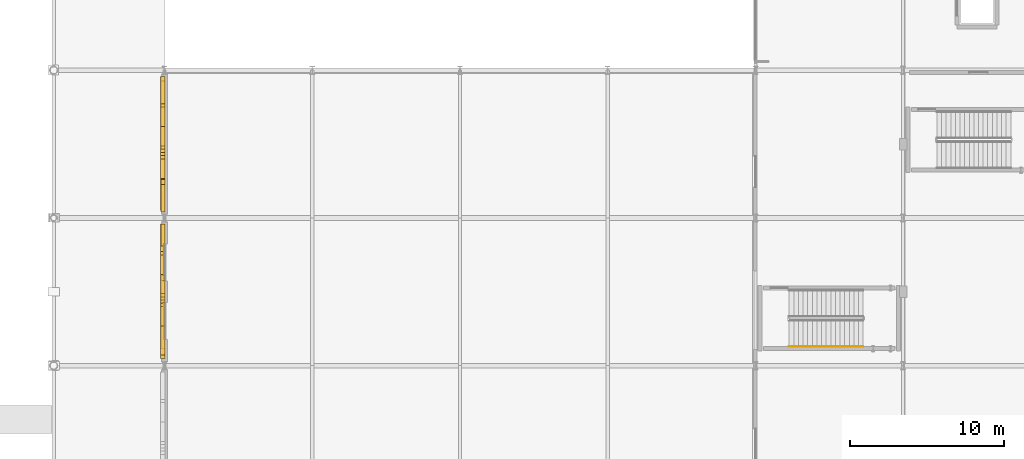
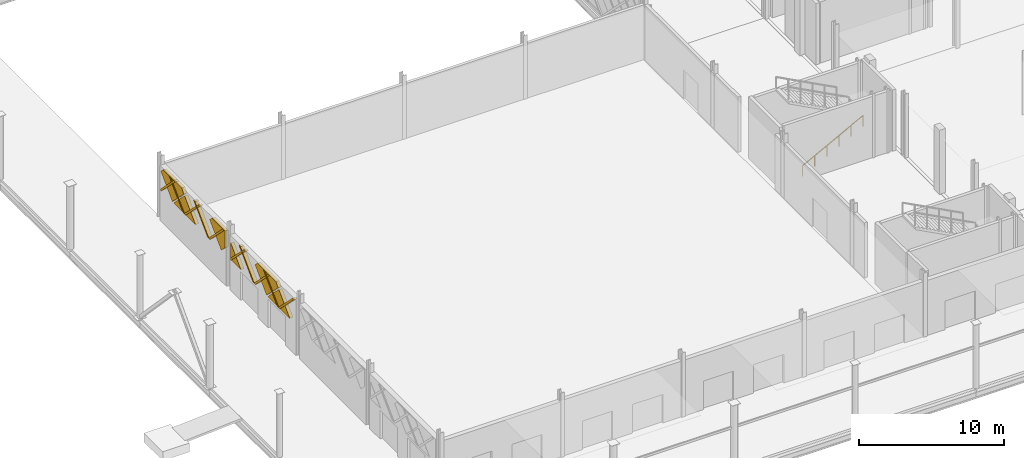
# One storey, part 65 of 84: 16 coverings, 1 railing.
"""IFC4 building model written with IfcOpenShell, lengths in metres."""

from ifc_helpers import new_model, si_unit, direction, frame, origin, origin_2d, place, context, subcontext, project, spatial, polyline, circle, outline, extrude, material, layer, layer_set, type_object, element, save


model = new_model("IFC4")

# Units and contexts
model_context = context("Model", 3, precision=1e-05, world=origin(), true_north=direction((0.0, 1.0)))
body_context = subcontext(model_context, "Body", "Model", "MODEL_VIEW")
ifc_project = project(units=[si_unit("LENGTHUNIT", "METRE"), si_unit("AREAUNIT", "SQUARE_METRE"), si_unit("VOLUMEUNIT", "CUBIC_METRE"), si_unit("PLANEANGLEUNIT", "RADIAN"), si_unit("MASSUNIT", "GRAM", prefix="KILO")], contexts=[model_context])

# Site, building, storey
site_placement = place(None, origin())
site = spatial("IfcSite", under=ifc_project, at=site_placement, CompositionType="ELEMENT")
building_placement = place(site_placement, origin())
building = spatial("IfcBuilding", under=site, at=building_placement, Name="Zevrakil Square Congress Hotel", CompositionType="ELEMENT")
storey_placement = place(building_placement, origin())
storey = spatial("IfcBuildingStorey", under=building, at=storey_placement, Name="L01", CompositionType="ELEMENT", Elevation=0.0)

# Coverings
ifc_material_1 = material(Name="Architectural White Fibre-C GRC", Category="concrete")
ifc_layer_1 = layer(ifc_material_1, 0.06494140625)
ifc_layer_set_1 = layer_set([ifc_layer_1], Name="Architectural White Fibre-C GRC")
covering_type_1 = type_object("IfcCoveringType", Name="COV-DIA-WHITE", PredefinedType="CLADDING", material=ifc_layer_set_1)
covering_1_placement = place(storey_placement, frame((6.969970703125, 34.18994140625, 2.6298828125), z_axis=(-0.999999760208, 0.0, 0.00069252061), x_axis=(0.0, 1.0, 0.0)))
element("IfcCovering", 1, at=covering_1_placement, inside=storey, type_object=covering_type_1, Name="L01 45-degree white GRC diamond facade cassette 347", PredefinedType="CLADDING", context=body_context, shape_type="SweptSolid", body=[
    extrude(outline(polyline([(0.0, 0.0), (1.41015625, 0.0), (1.41015625, -1.4101565881448694), (0.0, 0.0)])), origin(), (0.0, 0.0, -1.0), 0.27001953125),
])
covering_2_placement = place(storey_placement, frame((6.970947265625, 28.97998046875, 4.139892578125), z_axis=(-0.999999790873, 0.0, 0.000646725815), x_axis=(-0.000457304257, -0.707106707249, -0.707106707249)))
element("IfcCovering", 2, at=covering_2_placement, inside=storey, type_object=covering_type_1, Name="L01 45-degree white GRC diamond facade cassette 348", PredefinedType="CLADDING", context=body_context, shape_type="SweptSolid", body=[
    extrude(outline(polyline([(0.0, 0.0), (2.1354765131557993, 0.0), (4.465861884739297e-07, -2.1354765131557527), (0.0, 0.0)])), origin(), (0.0, 0.0, -1.0), 0.27001953125),
])
covering_3_placement = place(storey_placement, frame((6.970947265625, 29.070068359375, 4.22998046875), z_axis=(-0.999999852381, 0.0, 0.00054335861), x_axis=(-0.000384242074, 0.707052454375, -0.707160999434)))
element("IfcCovering", 3, at=covering_3_placement, inside=storey, type_object=covering_type_1, Name="L01 45-degree white GRC diamond facade cassette 349", PredefinedType="CLADDING", context=body_context, shape_type="SweptSolid", body=[
    extrude(outline(polyline([(0.0, 0.0), (2.248551348859632, 0.0), (2.248378471249448, -2.2487239690700145), (1.8029840035601115, -2.24868981178257), (-3.4279142421073105e-05, -0.44539446767997504), (0.0, 0.0)])), origin(), (0.0, 0.0, -1.0), 0.27001953125),
])
covering_4_placement = place(storey_placement, frame((6.970947265625, 41.93994140625, 4.139892578125), z_axis=(-0.999999790873, 0.0, 0.000646725815), x_axis=(-0.000457304257, -0.707106707249, -0.707106707249)))
element("IfcCovering", 4, at=covering_4_placement, inside=storey, type_object=covering_type_1, Name="L01 45-degree white GRC diamond facade cassette 366", PredefinedType="CLADDING", context=body_context, shape_type="SweptSolid", body=[
    extrude(outline(polyline([(0.0, 0.0), (2.1354765131557993, 0.0), (4.465861884739297e-07, -2.1354765131557527), (0.0, 0.0)])), origin(), (0.0, 0.0, -1.0), 0.27001953125),
])
covering_5_placement = place(storey_placement, frame((6.970947265625, 42.030029296875, 4.22998046875), z_axis=(-0.999999853145, 7.12395e-07, 0.000541949885), x_axis=(-0.000382712719, 0.70710674487, -0.707106713934)))
element("IfcCovering", 5, at=covering_5_placement, inside=storey, type_object=covering_type_1, Name="L01 45-degree white GRC diamond facade cassette 367", PredefinedType="CLADDING", context=body_context, shape_type="SweptSolid", body=[
    extrude(outline(polyline([(0.0, 0.0), (2.248723975910066, 2.220446049250313e-16), (2.248551111001002, -2.2343953970185124), (2.2343951660443135, -2.248551340510187), (1.803156642421577, -2.2485513802957735), (-8.369280657394285e-08, -0.44539446896308466), (0.0, 0.0)])), origin(), (0.0, 0.0, -1.0), 0.27001953125),
])
covering_6_placement = place(storey_placement, frame((6.97021484375, 36.89990234375, 2.639892578125), z_axis=(-0.999999856777, -2.6416517e-05, 0.00053455357), x_axis=(0.000359307179, 0.707106744967, 0.707106726117)))
element("IfcCovering", 6, at=covering_6_placement, inside=storey, type_object=covering_type_1, Name="L01 45-degree white GRC diamond facade cassette 368", PredefinedType="CLADDING", context=body_context, shape_type="SweptSolid", body=[
    extrude(outline(polyline([(0.0, 0.0), (2.2487239782945556, 4.440892098500626e-16), (2.2487240600795424, -0.44539446987381626), (0.9935060076735642, -1.7006126499939476), (7.829672288295342e-08, -0.7071068223993595), (0.0, 0.0)])), origin(), (0.0, 0.0, -1.0), 0.27001953125),
])
ifc_material_2 = material(Name="Anodised Champagne Aluminium", Category="aluminium")
ifc_layer_2 = layer(ifc_material_2, 0.0849609375)
ifc_layer_set_2 = layer_set([ifc_layer_2], Name="Anodised Champagne Aluminium")
covering_type_2 = type_object("IfcCoveringType", Name="COV-DIAGRID-45", PredefinedType="MOLDING", material=ifc_layer_set_2)
covering_7_placement = place(storey_placement, frame((6.945068359375, 35.513916015625, 2.6298828125), z_axis=(-0.99999987696, -0.000193286265, 0.000456858444), x_axis=(-0.000193286245, 0.99999998132, 8.8304e-08)))
element("IfcCovering", 7, at=covering_7_placement, inside=storey, type_object=covering_type_2, Name="L01 45-degree aluminium diagrid rib 350", PredefinedType="MOLDING", context=body_context, shape_type="SweptSolid", body=[
    extrude(outline(polyline([(0.0, 0.0), (0.08618163901514503, 0.0), (0.08618165016099655, -0.12622068995262908), (-1.702880894404168, -1.915039420335393), (-1.9150390935660973, -1.915039420335393), (0.0, 0.0)])), origin(), (0.0, 0.0, -1.0), 0.294921875),
])
covering_8_placement = place(storey_placement, frame((6.945068359375, 32.15380859375, 2.6298828125), z_axis=(-0.999999796842, 0.0, 0.000637429753), x_axis=(0.0, 1.0, 0.0)))
element("IfcCovering", 8, at=covering_8_placement, inside=storey, type_object=covering_type_2, Name="L01 45-degree aluminium diagrid rib 351", PredefinedType="MOLDING", context=body_context, shape_type="SweptSolid", body=[
    extrude(outline(polyline([(0.0, 0.0), (0.21240234375, 0.0), (-1.70263671875, -1.9150394515562854), (-1.914794921875, -1.9150394515562854), (0.0, 0.0)])), origin(), (0.0, 0.0, -1.0), 0.294921875),
])
covering_9_placement = place(storey_placement, frame((6.945068359375, 28.7939453125, 2.6298828125), z_axis=(-0.999999796842, 0.0, 0.000637429753), x_axis=(0.0, 1.0, 0.0)))
element("IfcCovering", 9, at=covering_9_placement, inside=storey, type_object=covering_type_2, Name="L01 45-degree aluminium diagrid rib 352", PredefinedType="MOLDING", context=body_context, shape_type="SweptSolid", body=[
    extrude(outline(polyline([(0.0, 0.0), (0.212158203125, 0.0), (-1.702880859375, -1.9150394515562854), (-1.9150390625, -1.9150394515562854), (0.0, 0.0)])), origin(), (0.0, 0.0, -1.0), 0.294921875),
])
for number, where, z_axis, x_axis, name in (
    (10, (6.9462890625, 34.441162109375, 4.544921875), (-0.999999796842, 0.0, 0.000637429753), (0.0, -1.0, 0.0), "L01 45-degree aluminium diagrid rib 353"),
    (11, (6.9462890625, 31.0810546875, 4.544921875), (-0.999999796842, 0.0, 0.000637429753), (0.0, -1.0, 0.0), "L01 45-degree aluminium diagrid rib 354"),
):
    element("IfcCovering", number, at=place(storey_placement, frame(where, z_axis=z_axis, x_axis=x_axis)), inside=storey, type_object=covering_type_2, Name=name, PredefinedType="MOLDING", context=body_context, shape_type="SweptSolid", body=[
        extrude(outline(polyline([(0.0, 0.0), (0.212158203125, 0.0), (2.127197265625, -1.9150394515562854), (1.9150390625, -1.9150394515562854), (0.0, 0.0)])), origin(), (0.0, 0.0, -1.0), 0.294921875),
    ])
covering_10_placement = place(storey_placement, frame((6.945068359375, 45.114013671875, 2.6298828125), z_axis=(-0.999999876977, -0.000193407177, 0.000456770142), x_axis=(-0.000193407157, 0.999999981297, 8.8343e-08)))
element("IfcCovering", 12, at=covering_10_placement, inside=storey, type_object=covering_type_2, Name="L01 45-degree aluminium diagrid rib 369", PredefinedType="MOLDING", context=body_context, shape_type="SweptSolid", body=[
    extrude(outline(polyline([(0.0, 0.0), (0.08593749839269647, 1.137373342260413e-24), (0.08593750954336479, -0.12622068995772054), (-1.7028808944388751, -1.915039420304851), (-1.9150390935958446, -1.915039420304851), (0.0, 0.0)])), origin(), (0.0, 0.0, -1.0), 0.294921875),
])
covering_11_placement = place(storey_placement, frame((6.945068359375, 41.75390625, 2.6298828125), z_axis=(-0.999999796842, 0.0, 0.000637429753), x_axis=(0.0, 1.0, 0.0)))
element("IfcCovering", 13, at=covering_11_placement, inside=storey, type_object=covering_type_2, Name="L01 45-degree aluminium diagrid rib 370", PredefinedType="MOLDING", context=body_context, shape_type="SweptSolid", body=[
    extrude(outline(polyline([(0.0, 0.0), (0.212158203125, 0.0), (-1.702880859375, -1.9150394515562854), (-1.9150390625, -1.9150394515562854), (0.0, 0.0)])), origin(), (0.0, 0.0, -1.0), 0.294921875),
])
covering_12_placement = place(storey_placement, frame((6.945068359375, 38.393798828125, 2.6298828125), z_axis=(-0.999999796842, 0.0, 0.000637429753), x_axis=(0.0, 1.0, 0.0)))
element("IfcCovering", 14, at=covering_12_placement, inside=storey, type_object=covering_type_2, Name="L01 45-degree aluminium diagrid rib 371", PredefinedType="MOLDING", context=body_context, shape_type="SweptSolid", body=[
    extrude(outline(polyline([(0.0, 0.0), (0.21240234375, 0.0), (-1.70263671875, -1.9150394515562854), (-1.914794921875, -1.9150394515562854), (0.0, 0.0)])), origin(), (0.0, 0.0, -1.0), 0.294921875),
])
covering_13_placement = place(storey_placement, frame((6.9462890625, 44.041015625, 4.544921875), z_axis=(-0.999999796842, 0.0, 0.000637429753), x_axis=(0.0, -1.0, 0.0)))
element("IfcCovering", 15, at=covering_13_placement, inside=storey, type_object=covering_type_2, Name="L01 45-degree aluminium diagrid rib 372", PredefinedType="MOLDING", context=body_context, shape_type="SweptSolid", body=[
    extrude(outline(polyline([(0.0, 0.0), (0.212158203125, 0.0), (2.127197265625, -1.9150394515562854), (1.914794921875, -1.9150394515562854), (0.0, 0.0)])), origin(), (0.0, 0.0, -1.0), 0.294921875),
])
covering_14_placement = place(storey_placement, frame((6.9462890625, 40.68115234375, 4.544921875), z_axis=(-0.999999796842, 0.0, 0.000637429753), x_axis=(0.0, -1.0, 0.0)))
element("IfcCovering", 16, at=covering_14_placement, inside=storey, type_object=covering_type_2, Name="L01 45-degree aluminium diagrid rib 373", PredefinedType="MOLDING", context=body_context, shape_type="SweptSolid", body=[
    extrude(outline(polyline([(0.0, 0.0), (0.212158203125, 0.0), (2.127197265625, -1.9150394515562854), (1.9150390625, -1.9150394515562854), (0.0, 0.0)])), origin(), (0.0, 0.0, -1.0), 0.294921875),
])

# Railing
ifc_material_3 = material(Name="Steel S355", Category="steel")
railing_type = type_object("IfcRailingType", Name="RLG-STAIR-HAND-900", PredefinedType="HANDRAIL", material=ifc_material_3)
railing_placement = place(storey_placement, frame((47.800048828125, 27.64990234375, 0.158935546875)))
element("IfcRailing", 17, at=railing_placement, inside=storey, type_object=railing_type, Name="L01 ST13 stair handrail 1", PredefinedType="HANDRAIL", context=body_context, shape_type="SweptSolid", body=[
    extrude(circle(Radius=0.02392578125, at=origin_2d()), frame((0.0, 0.0, 0.8759765625), z_axis=(0.883802130504, 0.0, 0.467860870469), x_axis=(0.0, 1.0, 0.0)), (0.0, 0.0, 1.0), 5.43115234375),
    extrude(circle(Radius=0.02099609375, at=origin_2d()), origin(), (0.0, 0.0, 1.0), 0.851806640625),
    extrude(circle(Radius=0.02099609375, at=origin_2d()), frame((0.9599609375, 0.0, 0.50830078125)), (0.0, 0.0, 1.0), 0.851806640625),
    extrude(circle(Radius=0.02099609375, at=origin_2d()), frame((1.919921875, 0.0, 1.016357421875)), (0.0, 0.0, 1.0), 0.851806640625),
    extrude(circle(Radius=0.02099609375, at=origin_2d()), frame((2.880126953125, 0.0, 1.524658203125)), (0.0, 0.0, 1.0), 0.851806640625),
    extrude(circle(Radius=0.02099609375, at=origin_2d()), frame((3.840087890625, 0.0, 2.03271484375)), (0.0, 0.0, 1.0), 0.851806640625),
    extrude(circle(Radius=0.02099609375, at=origin_2d()), frame((4.800048828125, 0.0, 2.541015625)), (0.0, 0.0, 1.0), 0.851806640625),
])

save(model, "model.ifc")
